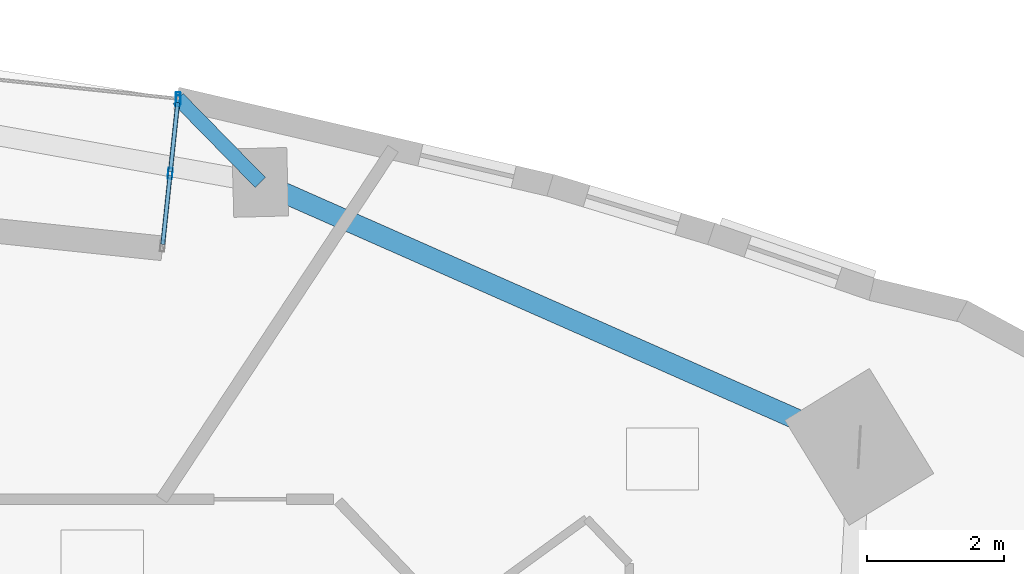
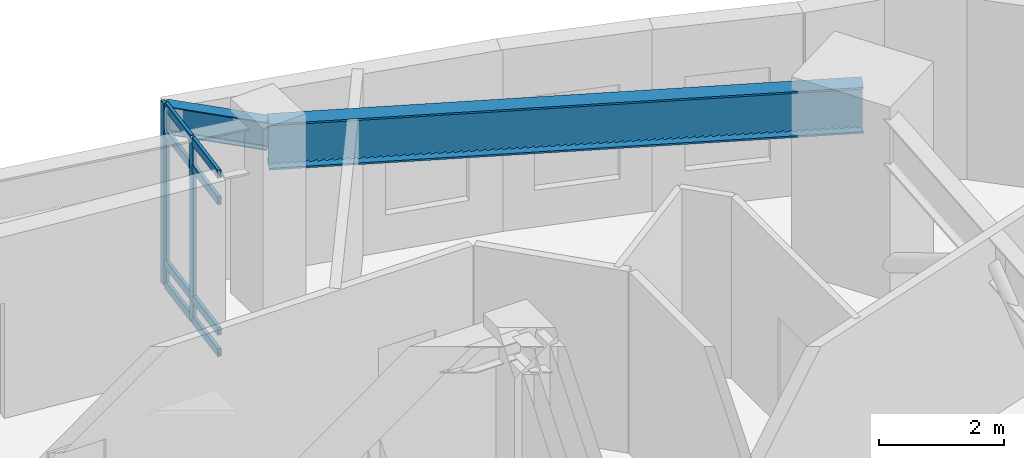
# One storey, part 7 of 16: 11 members, 2 beams, 1 element without a shape of its own.
"""IFC4 building model written with IfcOpenShell, lengths in metres."""

from ifc_helpers import new_model, si_unit, direction, frame, origin, origin_2d, place, context, subcontext, project, spatial, hollow_rectangle, i_section, extrude, material, layer, layer_set, material_profile, profile_set, type_object, element, aggregate, save


model = new_model("IFC4")

# Units and contexts
model_context = context("Model", 3, precision=1e-05, world=origin(), true_north=direction((0.0, 1.0)))
body_context = subcontext(model_context, "Body", "Model", "MODEL_VIEW")
ifc_project = project(units=[si_unit("LENGTHUNIT", "METRE"), si_unit("AREAUNIT", "SQUARE_METRE"), si_unit("VOLUMEUNIT", "CUBIC_METRE"), si_unit("PLANEANGLEUNIT", "RADIAN"), si_unit("MASSUNIT", "GRAM", prefix="KILO")], contexts=[model_context])

# Site, building, storey
site_placement = place(None, origin())
site = spatial("IfcSite", under=ifc_project, at=site_placement, CompositionType="ELEMENT")
building_placement = place(site_placement, origin())
building = spatial("IfcBuilding", under=site, at=building_placement, Name="Ndelora Gate Hotel", CompositionType="ELEMENT")
storey_placement = place(building_placement, frame((0.0, 0.0, 182.75)))
storey = spatial("IfcBuildingStorey", under=building, at=storey_placement, Name="L45", CompositionType="ELEMENT", Elevation=182.75)

# Beams
ifc_material_1 = material(Name="Steel S460", Category="steel")
ifc_material_profile_1 = material_profile(ifc_material_1, i_section(OverallWidth=0.300048828125, OverallDepth=0.89990234375, WebThickness=0.0185546875, FlangeThickness=0.034912109375, FilletRadius=0.030029296875, at=origin_2d()), Name="HEB 900")
ifc_profile_set_1 = profile_set([ifc_material_profile_1], Name="Steel S460")
beam_type_1 = type_object("IfcBeamType", Name="BM-BELT-900", PredefinedType="SPANDREL", material=ifc_profile_set_1)
beam_1_placement = place(storey_placement, frame((16.26025390625, 9.96435546875, 3.10009765625), z_axis=(-0.914807449647, 0.403890245078, 0.0), x_axis=(-0.403890245078, -0.914807449647, 0.0)))
element("IfcBeam", 1, at=beam_1_placement, inside=storey, type_object=beam_type_1, Name="L45 Perimeter Spandrel Girder 9", PredefinedType="SPANDREL", context=body_context, shape_type="SweptSolid", body=[
    extrude(i_section(OverallWidth=0.300048828125, OverallDepth=0.89990234375, WebThickness=0.0185546875, FlangeThickness=0.034912109375, FilletRadius=0.030029296875, at=origin_2d()), origin(), (0.0, 0.0, 1.0), 9.56689453125),
])
ifc_material_2 = material(Name="Steel S355", Category="steel")
ifc_material_profile_2 = material_profile(ifc_material_2, i_section(OverallWidth=0.2099609375, OverallDepth=0.550048828125, WebThickness=0.010986328125, FlangeThickness=0.01708984375, FilletRadius=0.02392578125, at=origin_2d()), Name="IPE 550")
ifc_profile_set_2 = profile_set([ifc_material_profile_2], Name="Steel S355")
beam_type_2 = type_object("IfcBeamType", Name="BM-RAD-550", PredefinedType="BEAM", material=ifc_profile_set_2)
beam_2_placement = place(storey_placement, frame((7.50830078125, 13.828369140625, 3.27490234375), z_axis=(-0.69995182335, 0.71419006223, 0.0), x_axis=(-0.71419006223, -0.69995182335, 0.0)))
element("IfcBeam", 2, at=beam_2_placement, inside=storey, type_object=beam_type_2, Name="L45 Sky-Garden Loggia Column Bracket 1", PredefinedType="BEAM", context=body_context, shape_type="SweptSolid", body=[
    extrude(i_section(OverallWidth=0.2099609375, OverallDepth=0.550048828125, WebThickness=0.010986328125, FlangeThickness=0.01708984375, FilletRadius=0.02392578125, at=origin_2d()), origin(), (0.0, 0.0, 1.0), 1.714599609375),
])

# Curtain wall, members
ifc_material_3 = material(Name="Bronze Anodised Unitised Aluminium and Low-E Glass", Category="aluminium")
ifc_layer = layer(ifc_material_3, 0.199951171875)
ifc_layer_set = layer_set([ifc_layer], Name="Bronze Anodised Unitised Aluminium and Low-E Glass")
curtain_wall_type = type_object("IfcCurtainWallType", Name="CW-SYS-3", PredefinedType="NOTDEFINED", material=ifc_layer_set)
curtain_wall_placement = place(storey_placement, origin())
curtain_wall = element("IfcCurtainWall", 3, at=curtain_wall_placement, inside=storey, type_object=curtain_wall_type, Name="L45 Sky-Garden Loggia Side Curtain Wall CW3-1", PredefinedType="NOTDEFINED")
ifc_material_4 = material(Name="Bronze Anodised Aluminium 6063-T6", Category="aluminium")
ifc_material_profile_3 = material_profile(ifc_material_4, hollow_rectangle(XDim=0.06494140625, YDim=0.159912109375, WallThickness=0.00390625, InnerFilletRadius=0.00390625, OuterFilletRadius=0.008056640625, at=origin_2d()), Name="ALU 160x65x4")
ifc_profile_set_3 = profile_set([ifc_material_profile_3], Name="Bronze Anodised Aluminium 6063-T6")
member_type_1 = type_object("IfcMemberType", Name="MB-CW-MUL150", PredefinedType="MULLION", material=ifc_profile_set_3)
member_1_placement = place(storey_placement, frame((6.193115234375, 13.958984375, -0.00390625), z_axis=(0.0, 0.0, 1.0), x_axis=(-0.994525111167, 0.104497862459, 0.0)))
member_1 = element("IfcMember", 4, at=member_1_placement, type_object=member_type_1, Name="CW3 mullion 2", PredefinedType="MULLION", context=body_context, shape_type="SweptSolid", body=[
    extrude(hollow_rectangle(XDim=0.06494140625, YDim=0.159912109375, WallThickness=0.00390625, InnerFilletRadius=0.00390625, OuterFilletRadius=0.008056640625, at=origin_2d()), origin(), (0.0, 0.0, 1.0), 3.557861328125),
])
member_2_placement = place(storey_placement, frame((6.3046875, 15.020751953125, -0.00390625), z_axis=(0.0, 0.0, 1.0), x_axis=(-0.994525111167, 0.104497862459, 0.0)))
member_2 = element("IfcMember", 5, at=member_2_placement, type_object=member_type_1, Name="CW3 mullion 3", PredefinedType="MULLION", context=body_context, shape_type="SweptSolid", body=[
    extrude(hollow_rectangle(XDim=0.06494140625, YDim=0.159912109375, WallThickness=0.00390625, InnerFilletRadius=0.00390625, OuterFilletRadius=0.008056640625, at=origin_2d()), origin(), (0.0, 0.0, 1.0), 3.557861328125),
])
ifc_material_profile_4 = material_profile(ifc_material_4, hollow_rectangle(XDim=0.070068359375, YDim=0.179931640625, WallThickness=0.0048828125, InnerFilletRadius=0.0048828125, OuterFilletRadius=0.010009765625, at=origin_2d()), Name="ALU 180x70x5")
ifc_profile_set_4 = profile_set([ifc_material_profile_4], Name="Bronze Anodised Aluminium 6063-T6")
member_type_2 = type_object("IfcMemberType", Name="MB-CW-MUL180", PredefinedType="MULLION", material=ifc_profile_set_4)
member_3_placement = place(storey_placement, frame((6.30810546875, 15.052978515625, 0.0), z_axis=(0.0, 0.0, 1.0), x_axis=(1.0, 0.0, 0.0)))
member_3 = element("IfcMember", 6, at=member_3_placement, type_object=member_type_2, Name="L45 Sky-Garden Loggia Corner Mullion Post 1", PredefinedType="MULLION", context=body_context, shape_type="SweptSolid", body=[
    extrude(hollow_rectangle(XDim=0.070068359375, YDim=0.179931640625, WallThickness=0.0048828125, InnerFilletRadius=0.0048828125, OuterFilletRadius=0.010009765625, at=origin_2d()), origin(), (0.0, 0.0, 1.0), 3.550048828125),
])
ifc_material_profile_5 = material_profile(ifc_material_4, hollow_rectangle(XDim=0.06494140625, YDim=0.159912109375, WallThickness=0.00390625, InnerFilletRadius=0.00390625, OuterFilletRadius=0.008056640625, at=origin_2d()), Name="ALU 160x65x4")
ifc_profile_set_5 = profile_set([ifc_material_profile_5], Name="Bronze Anodised Aluminium 6063-T6")
member_type_3 = type_object("IfcMemberType", Name="MB-CW-TRN150", PredefinedType="USERDEFINED", material=ifc_profile_set_5)
member_4_placement = place(storey_placement, frame((6.084228515625, 12.923583984375, 0.032470703125), z_axis=(0.104434260277, 0.994531791991, 0.0), x_axis=(-0.994531791991, 0.104434260277, 0.0)))
member_4 = element("IfcMember", 7, at=member_4_placement, type_object=member_type_3, Name="CW3 transom 1.1", ObjectType="TRANSOM", PredefinedType="USERDEFINED", context=body_context, shape_type="SweptSolid", body=[
    extrude(hollow_rectangle(XDim=0.06494140625, YDim=0.159912109375, WallThickness=0.00390625, InnerFilletRadius=0.00390625, OuterFilletRadius=0.008056640625, at=origin_2d()), origin(), (0.0, 0.0, 1.0), 1.0146484375),
])
member_5_placement = place(storey_placement, frame((6.084228515625, 12.923583984375, 0.449951171875), z_axis=(0.104434260277, 0.994531791991, 0.0), x_axis=(-0.994531791991, 0.104434260277, 0.0)))
member_5 = element("IfcMember", 8, at=member_5_placement, type_object=member_type_3, Name="CW3 transom 1.2", ObjectType="TRANSOM", PredefinedType="USERDEFINED", context=body_context, shape_type="SweptSolid", body=[
    extrude(hollow_rectangle(XDim=0.06494140625, YDim=0.159912109375, WallThickness=0.00390625, InnerFilletRadius=0.00390625, OuterFilletRadius=0.008056640625, at=origin_2d()), origin(), (0.0, 0.0, 1.0), 1.0146484375),
])
member_6_placement = place(storey_placement, frame((6.084228515625, 12.923583984375, 3.0), z_axis=(0.104434260277, 0.994531791991, 0.0), x_axis=(-0.994531791991, 0.104434260277, 0.0)))
member_6 = element("IfcMember", 9, at=member_6_placement, type_object=member_type_3, Name="CW3 transom 1.3", ObjectType="TRANSOM", PredefinedType="USERDEFINED", context=body_context, shape_type="SweptSolid", body=[
    extrude(hollow_rectangle(XDim=0.06494140625, YDim=0.159912109375, WallThickness=0.00390625, InnerFilletRadius=0.00390625, OuterFilletRadius=0.008056640625, at=origin_2d()), origin(), (0.0, 0.0, 1.0), 1.0146484375),
])
member_7_placement = place(storey_placement, frame((6.084228515625, 12.923583984375, 3.517578125), z_axis=(0.104434260277, 0.994531791991, 0.0), x_axis=(-0.994531791991, 0.104434260277, 0.0)))
member_7 = element("IfcMember", 10, at=member_7_placement, type_object=member_type_3, Name="CW3 transom 1.4", ObjectType="TRANSOM", PredefinedType="USERDEFINED", context=body_context, shape_type="SweptSolid", body=[
    extrude(hollow_rectangle(XDim=0.06494140625, YDim=0.159912109375, WallThickness=0.00390625, InnerFilletRadius=0.00390625, OuterFilletRadius=0.008056640625, at=origin_2d()), origin(), (0.0, 0.0, 1.0), 1.0146484375),
])
member_8_placement = place(storey_placement, frame((6.19580078125, 13.9853515625, 0.032470703125), z_axis=(0.104434260277, 0.994531791991, 0.0), x_axis=(-0.994531791991, 0.104434260277, 0.0)))
member_8 = element("IfcMember", 11, at=member_8_placement, type_object=member_type_3, Name="CW3 transom 2.1", ObjectType="TRANSOM", PredefinedType="USERDEFINED", context=body_context, shape_type="SweptSolid", body=[
    extrude(hollow_rectangle(XDim=0.06494140625, YDim=0.159912109375, WallThickness=0.00390625, InnerFilletRadius=0.00390625, OuterFilletRadius=0.008056640625, at=origin_2d()), origin(), (0.0, 0.0, 1.0), 1.0146484375),
])
member_9_placement = place(storey_placement, frame((6.19580078125, 13.9853515625, 0.449951171875), z_axis=(0.104434260277, 0.994531791991, 0.0), x_axis=(-0.994531791991, 0.104434260277, 0.0)))
member_9 = element("IfcMember", 12, at=member_9_placement, type_object=member_type_3, Name="CW3 transom 2.2", ObjectType="TRANSOM", PredefinedType="USERDEFINED", context=body_context, shape_type="SweptSolid", body=[
    extrude(hollow_rectangle(XDim=0.06494140625, YDim=0.159912109375, WallThickness=0.00390625, InnerFilletRadius=0.00390625, OuterFilletRadius=0.008056640625, at=origin_2d()), origin(), (0.0, 0.0, 1.0), 1.0146484375),
])
member_10_placement = place(storey_placement, frame((6.19580078125, 13.9853515625, 3.0), z_axis=(0.104434260277, 0.994531791991, 0.0), x_axis=(-0.994531791991, 0.104434260277, 0.0)))
member_10 = element("IfcMember", 13, at=member_10_placement, type_object=member_type_3, Name="CW3 transom 2.3", ObjectType="TRANSOM", PredefinedType="USERDEFINED", context=body_context, shape_type="SweptSolid", body=[
    extrude(hollow_rectangle(XDim=0.06494140625, YDim=0.159912109375, WallThickness=0.00390625, InnerFilletRadius=0.00390625, OuterFilletRadius=0.008056640625, at=origin_2d()), origin(), (0.0, 0.0, 1.0), 1.0146484375),
])
member_11_placement = place(storey_placement, frame((6.19580078125, 13.9853515625, 3.517578125), z_axis=(0.104434260277, 0.994531791991, 0.0), x_axis=(-0.994531791991, 0.104434260277, 0.0)))
member_11 = element("IfcMember", 14, at=member_11_placement, type_object=member_type_3, Name="CW3 transom 2.4", ObjectType="TRANSOM", PredefinedType="USERDEFINED", context=body_context, shape_type="SweptSolid", body=[
    extrude(hollow_rectangle(XDim=0.06494140625, YDim=0.159912109375, WallThickness=0.00390625, InnerFilletRadius=0.00390625, OuterFilletRadius=0.008056640625, at=origin_2d()), origin(), (0.0, 0.0, 1.0), 1.0146484375),
])
aggregate(curtain_wall, [member_1, member_2, member_4, member_5, member_6, member_7, member_8, member_9, member_10, member_11, member_3])

save(model, "model.ifc")
